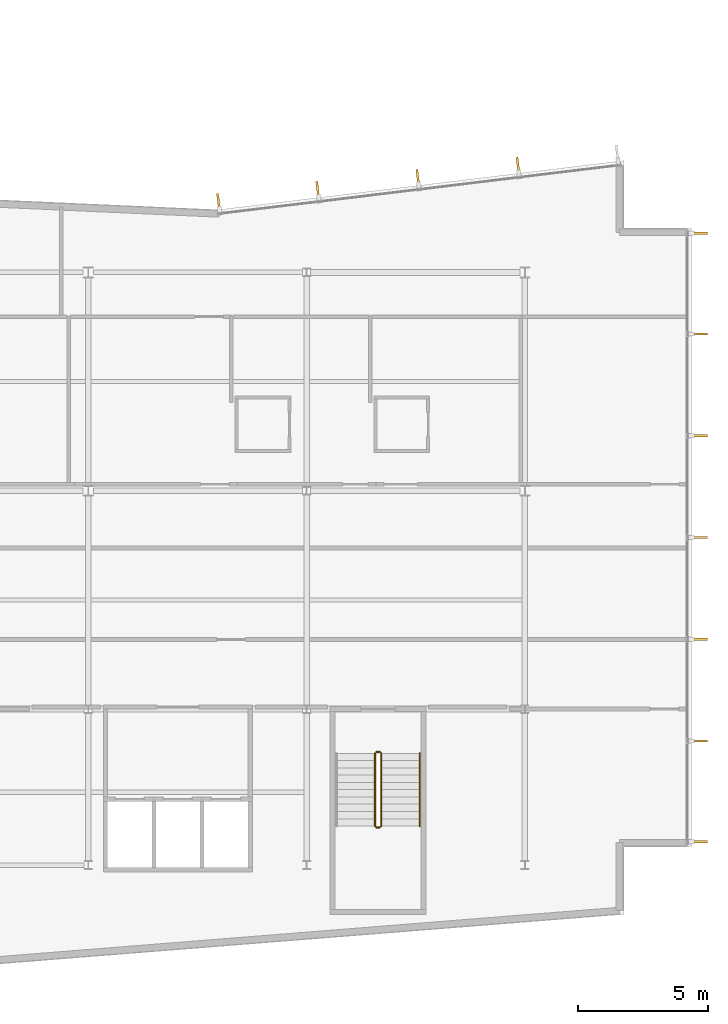
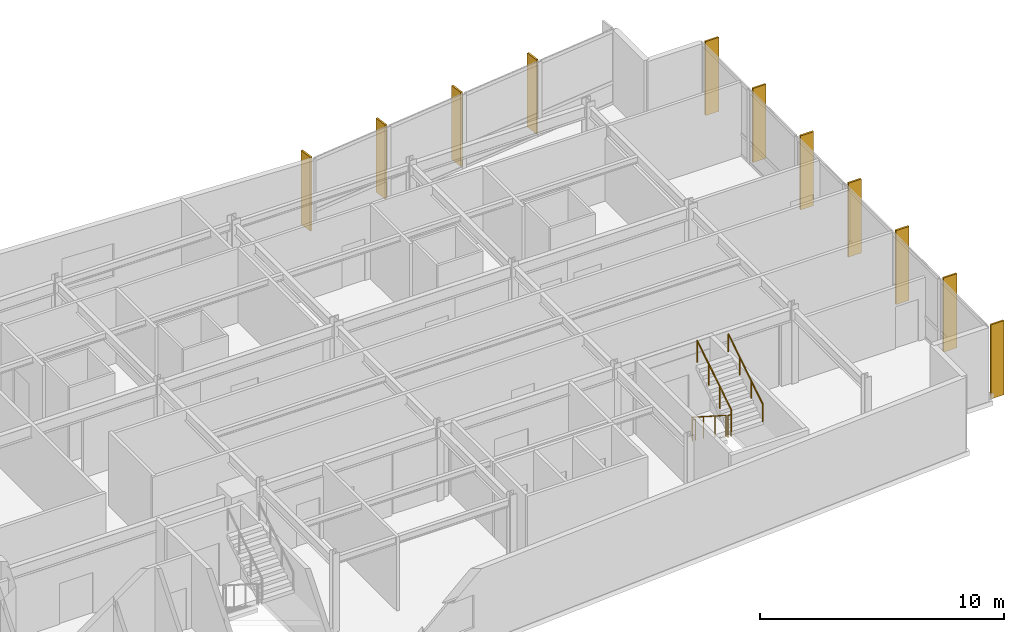
# One storey, part 16 of 18: 11 shading devices, 5 railings.
"""IFC4 building model written with IfcOpenShell, lengths in metres."""

import ifcopenshell
import ifcopenshell.guid

model = None  # the IFC model being written
_history = None  # IfcOwnerHistory: only IFC2X3 demands one
_inside = {}  # id of a spatial element -> (the spatial element, [elements in it])
_under = {}  # id of a project, library or spatial element -> (it, [spatial elements below it])
_declared = {}  # id of a project -> (the project, [libraries it declares])
_typed = {}  # id of a type object -> (the type object, [elements of that type])
_made_of = {}  # id of a material, layer set ... -> (it, [elements and type objects made of it])


def new_model(schema):
    """Start an empty IFC model of exactly this schema.

    Asked for "IFC4X3", IfcOpenShell would pick the latest addendum, in which some entities
    have other attributes; the version numbers below select the first issue.
    IFC2X3 requires an IfcOwnerHistory on every rooted entity: one is made here for all.
    """
    global model, _history
    if schema == "IFC4X3":
        model = ifcopenshell.file(schema_version=(4, 3, 0, 0))
    else:
        model = ifcopenshell.file(schema=schema)
    _inside.clear()
    _under.clear()
    _declared.clear()
    _typed.clear()
    _made_of.clear()
    _history = None
    if model.schema == "IFC2X3":
        org = make("IfcOrganization", Name="unknown")
        user = make(
            "IfcPersonAndOrganization",
            ThePerson=make("IfcPerson", FamilyName="unknown"),
            TheOrganization=org,
        )
        app = make(
            "IfcApplication",
            ApplicationDeveloper=org,
            Version="unknown",
            ApplicationFullName="unknown",
            ApplicationIdentifier="unknown",
        )
        _history = make(
            "IfcOwnerHistory",
            OwningUser=user,
            OwningApplication=app,
            ChangeAction="ADDED",
            CreationDate=0,
        )
    return model


def make(cls, **values):
    """One entity of the class cls with the attributes given. An attribute that is None is left unset."""
    return model.create_entity(
        cls, **{name: value for name, value in values.items() if value is not None}
    )


def rooted(cls, **values):
    """An entity with a GlobalId (a new one), such as an element, a storey or a relation."""
    return make(cls, GlobalId=ifcopenshell.guid.new(), OwnerHistory=_history, **values)


def si_unit(unit_type, name, prefix=None):
    """IfcSIUnit, for example si_unit("LENGTHUNIT", "METRE", prefix="MILLI")."""
    return make("IfcSIUnit", UnitType=unit_type, Prefix=prefix, Name=name)


def assignment(units):
    """IfcUnitAssignment: the units of a project."""
    return None if units is None else make("IfcUnitAssignment", Units=units)


def point(xyz):
    """IfcCartesianPoint."""
    return None if xyz is None else make("IfcCartesianPoint", Coordinates=xyz)


def direction(xyz):
    """IfcDirection."""
    return None if xyz is None else make("IfcDirection", DirectionRatios=xyz)


def frame(location, z_axis=None, x_axis=None):
    """IfcAxis2Placement3D, a coordinate frame: its origin and axes. An axis left out is left unset."""
    return make(
        "IfcAxis2Placement3D",
        Location=point(location),
        Axis=direction(z_axis),
        RefDirection=direction(x_axis),
    )


def frame_2d(location, x_axis=None):
    """IfcAxis2Placement2D, a coordinate frame in the plane: its origin and x axis."""
    return make(
        "IfcAxis2Placement2D", Location=point(location), RefDirection=direction(x_axis)
    )


def origin():
    """The frame at (0, 0, 0) with its axes left unset."""
    return frame((0.0, 0.0, 0.0))


def origin_2d():
    """The frame at (0, 0) in the plane with its x axis left unset."""
    return frame_2d((0.0, 0.0))


def place(relative_to, where):
    """IfcLocalPlacement: puts the frame where relative to a parent placement (None: the world)."""
    return make(
        "IfcLocalPlacement", PlacementRelTo=relative_to, RelativePlacement=where
    )


def context(
    kind, dimensions, precision=None, world=None, true_north=None, identifier=None
):
    """IfcGeometricRepresentationContext, for example the 3D "Model" context."""
    return make(
        "IfcGeometricRepresentationContext",
        ContextIdentifier=identifier,
        ContextType=kind,
        CoordinateSpaceDimension=dimensions,
        Precision=precision,
        WorldCoordinateSystem=world,
        TrueNorth=true_north,
    )


def subcontext(parent, identifier, kind, view, scale=None):
    """IfcGeometricRepresentationSubContext, for example "Body" below "Model"."""
    return make(
        "IfcGeometricRepresentationSubContext",
        ContextIdentifier=identifier,
        ContextType=kind,
        ParentContext=parent,
        TargetScale=scale,
        TargetView=view,
    )


def project(units=None, contexts=None):
    """IfcProject with its units and contexts."""
    return rooted(
        "IfcProject",
        Name="project",
        RepresentationContexts=contexts,
        UnitsInContext=assignment(units),
    )


def spatial(cls, under=None, at=None, **own):
    """A site, building, storey or space (cls), placed at a placement, below another one or the project."""
    s = rooted(cls, ObjectPlacement=at, **own)
    if under is not None:
        _under.setdefault(under.id(), (under, []))[1].append(s)
    return s


def profile(cls, at=None, kind="AREA", **sizes):
    """A parametric profile (cls). Its sizes go by their IFC names, for example OverallWidth=200.0."""
    return make(cls, ProfileType=kind, Position=at, **sizes)


def rectangle(**sizes):
    """IfcRectangleProfileDef."""
    return profile("IfcRectangleProfileDef", **sizes)


def circle(**sizes):
    """IfcCircleProfileDef."""
    return profile("IfcCircleProfileDef", **sizes)


def extrude(swept, where, along, depth):
    """IfcExtrudedAreaSolid: the profile swept, set in the frame where, extruded along a direction by depth."""
    return make(
        "IfcExtrudedAreaSolid",
        SweptArea=swept,
        Position=where,
        ExtrudedDirection=direction(along),
        Depth=depth,
    )


def shape(context_of_items, identifier, shape_type, items):
    """IfcShapeRepresentation: the items that make up one representation, for example the "Body"."""
    return make(
        "IfcShapeRepresentation",
        ContextOfItems=context_of_items,
        RepresentationIdentifier=identifier,
        RepresentationType=shape_type,
        Items=items,
    )


def material(Name=None, Category=None):
    """IfcMaterial."""
    return make("IfcMaterial", Name=Name, Category=Category)


def layer(
    of_material, thickness, ventilated=None, Name=None, Category=None, Priority=None
):
    """IfcMaterialLayer: one layer of a wall or slab, of a material (None: an air gap)."""
    return make(
        "IfcMaterialLayer",
        Material=of_material,
        LayerThickness=thickness,
        IsVentilated=ventilated,
        Name=Name,
        Category=Category,
        Priority=Priority,
    )


def layer_set(layers, Name=None):
    """IfcMaterialLayerSet."""
    return make("IfcMaterialLayerSet", MaterialLayers=layers, LayerSetName=Name)


def made_of(thing, what):
    """Note that an element or type object is made of a material, layer set ...; save() writes the relation."""
    if what is not None:
        _made_of.setdefault(what.id(), (what, []))[1].append(thing)
    return thing


def type_object(cls, material=None, **own):
    """A type object (cls), such as IfcWallType, which elements share."""
    return made_of(rooted(cls, **own), material)


def element(
    cls,
    number,
    at=None,
    inside=None,
    cuts=None,
    type_object=None,
    material=None,
    context=None,
    identifier="Body",
    shape_type=None,
    held_by="IfcProductDefinitionShape",
    body=None,
    shapes=None,
    **own,
):
    """One element of the class cls, such as IfcWall. Its Tag is "e" and its number.

    at: its placement. inside: the storey or other place that contains it. cuts: it is an
    opening in that element (IfcRelVoidsElement). A single representation is given by context,
    identifier, shape_type and body (its items); several are given by shapes. held_by: the class
    of the entity that holds the representations. save() writes the other relations.
    """
    e = rooted(cls, Tag="e%d" % number, ObjectPlacement=at, **own)
    if body is not None:
        shapes = [shape(context, identifier, shape_type, body)]
    if shapes is not None:
        e.Representation = make(held_by, Representations=shapes)
    if inside is not None:
        _inside.setdefault(inside.id(), (inside, []))[1].append(e)
    if cuts is not None:
        rooted(
            "IfcRelVoidsElement", RelatingBuildingElement=cuts, RelatedOpeningElement=e
        )
    if type_object is not None:
        _typed.setdefault(type_object.id(), (type_object, []))[1].append(e)
    return made_of(e, material)


def aggregate(whole, parts):
    """IfcRelAggregates: a whole, such as a stair, and the parts it consists of."""
    return rooted("IfcRelAggregates", RelatingObject=whole, RelatedObjects=parts)


def save(model, path):
    """Write the relations noted so far, then the file.

    IfcRelAggregates (storeys below a building ...), IfcRelContainedInSpatialStructure (elements
    in a storey), IfcRelDefinesByType, IfcRelAssociatesMaterial and IfcRelDeclares: one each for
    every whole, place, type object, material and project.
    """
    for whole, parts in _under.values():
        aggregate(whole, parts)
    for where, things in _inside.values():
        rooted(
            "IfcRelContainedInSpatialStructure",
            RelatedElements=things,
            RelatingStructure=where,
        )
    for kind, things in _typed.values():
        rooted("IfcRelDefinesByType", RelatedObjects=things, RelatingType=kind)
    for what, things in _made_of.values():
        rooted("IfcRelAssociatesMaterial", RelatedObjects=things, RelatingMaterial=what)
    for by, libraries in _declared.values():
        rooted("IfcRelDeclares", RelatingContext=by, RelatedDefinitions=libraries)
    model.write(path)


model = new_model("IFC4")

# Units and contexts
model_context = context("Model", 3, precision=1e-05, world=origin(), true_north=direction((0.0, 1.0)))
body_context = subcontext(model_context, "Body", "Model", "MODEL_VIEW")
ifc_project = project(units=[si_unit("LENGTHUNIT", "METRE"), si_unit("AREAUNIT", "SQUARE_METRE"), si_unit("VOLUMEUNIT", "CUBIC_METRE"), si_unit("PLANEANGLEUNIT", "RADIAN"), si_unit("MASSUNIT", "GRAM", prefix="KILO")], contexts=[model_context])

# Site, building, storey
site_placement = place(None, origin())
site = spatial("IfcSite", under=ifc_project, at=site_placement, CompositionType="ELEMENT")
building_placement = place(site_placement, origin())
building = spatial("IfcBuilding", under=site, at=building_placement, Name="Varnakote Quay Hospital", CompositionType="ELEMENT")
storey_placement = place(building_placement, frame((0.0, 0.0, 142.85009765625)))
storey = spatial("IfcBuildingStorey", under=building, at=storey_placement, Name="L35", CompositionType="ELEMENT", Elevation=142.85009765625)

# Railings
ifc_material_1 = material(Name="Brushed stainless steel balustrade", Category="steel")
railing_type_1 = type_object("IfcRailingType", Name="RLG-STAIR-GUARD-1150", PredefinedType="GUARDRAIL", material=ifc_material_1)
railing_1_placement = place(storey_placement, frame((44.6298828125, 10.300048828125, 0.179443359375)))
element("IfcRailing", 1, at=railing_1_placement, inside=storey, type_object=railing_type_1, Name="L35 ST-03 stair guard 1", PredefinedType="GUARDRAIL", context=body_context, shape_type="SweptSolid", body=[
    extrude(circle(Radius=0.02392578125, at=origin_2d()), frame((0.0, 0.0, 1.076171875), z_axis=(0.0, -0.841809871826, 0.539774156196), x_axis=(1.0, 0.0, 0.0)), (0.0, 0.0, 1.0), 3.326171875),
    extrude(circle(Radius=0.02099609375, at=origin_2d()), origin(), (0.0, 0.0, 1.0), 1.052001953125),
    extrude(circle(Radius=0.02099609375, at=origin_2d()), frame((0.0, -0.933349609375, 0.598388671875)), (0.0, 0.0, 1.0), 1.052001953125),
    extrude(circle(Radius=0.02099609375, at=origin_2d()), frame((0.0, -1.86669921875, 1.197021484375)), (0.0, 0.0, 1.0), 1.052001953125),
    extrude(circle(Radius=0.02099609375, at=origin_2d()), frame((0.0, -2.800048828125, 1.79541015625)), (0.0, 0.0, 1.0), 1.052001953125),
])
railing_2_placement = place(storey_placement, frame((44.679931640625, 7.449951171875, 1.974853515625)))
element("IfcRailing", 2, at=railing_2_placement, inside=storey, type_object=railing_type_1, Name="L35 ST-03 stair guard 2", PredefinedType="GUARDRAIL", context=body_context, shape_type="SweptSolid", body=[
    extrude(circle(Radius=0.02392578125, at=origin_2d()), frame((0.0, 0.0, 1.076171875), z_axis=(1.0, 0.0, 0.0), x_axis=(0.0, 1.0, 0.0)), (0.0, 0.0, 1.0), 0.14013671875),
    extrude(circle(Radius=0.02099609375, at=origin_2d()), origin(), (0.0, 0.0, 1.0), 1.052001953125),
    extrude(circle(Radius=0.02099609375, at=origin_2d()), frame((0.14013671875, 0.0, 0.0)), (0.0, 0.0, 1.0), 1.052001953125),
])
railing_3_placement = place(storey_placement, frame((44.8701171875, 7.5, 2.154541015625)))
element("IfcRailing", 3, at=railing_3_placement, inside=storey, type_object=railing_type_1, Name="L35 ST-03 stair guard 3", PredefinedType="GUARDRAIL", context=body_context, shape_type="SweptSolid", body=[
    extrude(circle(Radius=0.02392578125, at=origin_2d()), frame((0.0, 0.0, 1.076171875), z_axis=(0.0, 0.841809871826, 0.539774156196), x_axis=(-1.0, 0.0, 0.0)), (0.0, 0.0, 1.0), 3.326171875),
    extrude(circle(Radius=0.02099609375, at=origin_2d()), origin(), (0.0, 0.0, 1.0), 1.052001953125),
    extrude(circle(Radius=0.02099609375, at=origin_2d()), frame((0.0, 0.933349609375, 0.598388671875)), (0.0, 0.0, 1.0), 1.052001953125),
    extrude(circle(Radius=0.02099609375, at=origin_2d()), frame((0.0, 1.86669921875, 1.197021484375)), (0.0, 0.0, 1.0), 1.052001953125),
    extrude(circle(Radius=0.02099609375, at=origin_2d()), frame((0.0, 2.800048828125, 1.79541015625)), (0.0, 0.0, 1.0), 1.052001953125),
])
railing_4_placement = place(storey_placement, frame((44.679931640625, 10.35009765625, 0.0)))
element("IfcRailing", 4, at=railing_4_placement, inside=storey, type_object=railing_type_1, Name="L35 ST-03 stair guard 4", PredefinedType="GUARDRAIL", context=body_context, shape_type="SweptSolid", body=[
    extrude(circle(Radius=0.02392578125, at=origin_2d()), frame((0.0, 0.0, 1.076171875), z_axis=(1.0, 0.0, 0.0), x_axis=(0.0, 1.0, 0.0)), (0.0, 0.0, 1.0), 0.14013671875),
    extrude(circle(Radius=0.02099609375, at=origin_2d()), origin(), (0.0, 0.0, 1.0), 1.052001953125),
    extrude(circle(Radius=0.02099609375, at=origin_2d()), frame((0.14013671875, 0.0, 0.0)), (0.0, 0.0, 1.0), 1.052001953125),
])
ifc_material_2 = material(Name="Brushed stainless steel handrail", Category="steel")
railing_type_2 = type_object("IfcRailingType", Name="RLG-STAIR-HND-920", PredefinedType="HANDRAIL", material=ifc_material_2)
railing_5_placement = place(storey_placement, frame((46.35009765625, 7.5, 2.154541015625)))
element("IfcRailing", 5, at=railing_5_placement, inside=storey, type_object=railing_type_2, Name="L35 ST-03 stair handrail 2", PredefinedType="HANDRAIL", context=body_context, shape_type="SweptSolid", body=[
    extrude(circle(Radius=0.02392578125, at=origin_2d()), frame((0.0, 0.0, 0.8759765625), z_axis=(0.0, 0.841809871826, 0.539774156196), x_axis=(-1.0, 0.0, 0.0)), (0.0, 0.0, 1.0), 3.326171875),
    extrude(circle(Radius=0.02099609375, at=origin_2d()), origin(), (0.0, 0.0, 1.0), 0.851806640625),
    extrude(circle(Radius=0.02099609375, at=origin_2d()), frame((0.0, 0.933349609375, 0.598388671875)), (0.0, 0.0, 1.0), 0.851806640625),
    extrude(circle(Radius=0.02099609375, at=origin_2d()), frame((0.0, 1.86669921875, 1.197021484375)), (0.0, 0.0, 1.0), 0.851806640625),
    extrude(circle(Radius=0.02099609375, at=origin_2d()), frame((0.0, 2.800048828125, 1.79541015625)), (0.0, 0.0, 1.0), 0.851806640625),
])

# Shading devices
ifc_material_3 = material(Name="Anodised aluminium 6063-T6 Bronze", Category="aluminium")
ifc_layer = layer(ifc_material_3, 0.0849609375)
ifc_layer_set = layer_set([ifc_layer], Name="Anodised aluminium 6063-T6 Bronze")
shading_device_type = type_object("IfcShadingDeviceType", Name="SHD-BRONZE-FIN-620", PredefinedType="USERDEFINED", material=ifc_layer_set)
for number, where, z_axis, x_axis, name in (
    (6, (57.110107421875, 6.8974609375, 0.0), (0.0, 0.0, 1.0), (-1.0, 0.0, 0.0), "L35 Anodised Bronze Vertical Shading FIN"),
    (7, (57.110107421875, 10.773193359375, 0.0), (0.0, 0.0, 1.0), (-1.0, 0.0, 0.0), "L35 Anodised Bronze Vertical Shading FIN"),
    (8, (57.110107421875, 14.686767578125, 0.0), (0.0, 0.0, 1.0), (-1.0, 0.0, 0.0), "L35 Anodised Bronze Vertical Shading FIN"),
    (9, (57.110107421875, 18.60009765625, 0.0), (0.0, 0.0, 1.0), (-1.0, 0.0, 0.0), "L35 Anodised Bronze Vertical Shading FIN"),
    (10, (57.110107421875, 22.51318359375, 0.0), (0.0, 0.0, 1.0), (-1.0, 0.0, 0.0), "L35 Anodised Bronze Vertical Shading FIN"),
    (11, (57.110107421875, 26.4267578125, 0.0), (0.0, 0.0, 1.0), (-1.0, 0.0, 0.0), "L35 Anodised Bronze Vertical Shading FIN"),
    (12, (57.110107421875, 30.302490234375, 0.0), (0.0, 0.0, 1.0), (-1.0, 0.0, 0.0), "L35 Anodised Bronze Vertical Shading FIN"),
    (13, (50.131103515625, 32.9189453125, 0.0), (0.0, 0.0, 1.0), (0.120310105847, -0.992736358975, 0.0), "L35 Anodised Bronze Vertical Shading FIN"),
    (14, (46.278564453125, 32.4521484375, 0.0), (0.0, 0.0, 1.0), (0.120310105847, -0.992736358975, 0.0), "L35 Anodised Bronze Vertical Shading FIN"),
    (15, (42.426025390625, 31.985107421875, 0.0), (0.0, 0.0, 1.0), (0.120310105847, -0.992736358975, 0.0), "L35 Anodised Bronze Vertical Shading FIN"),
    (16, (38.61083984375, 31.522705078125, 0.0), (0.0, 0.0, 1.0), (0.120310105847, -0.992736358975, 0.0), "L35 Anodised Bronze Vertical Shading FIN"),
):
    element("IfcShadingDevice", number, at=place(storey_placement, frame(where, z_axis=z_axis, x_axis=x_axis)), inside=storey, type_object=shading_device_type, Name=name, ObjectType="FIN", PredefinedType="USERDEFINED", context=body_context, shape_type="SweptSolid", body=[
        extrude(rectangle(XDim=0.6201171875, YDim=0.0849609375, at=origin_2d()), origin(), (0.0, 0.0, 1.0), 3.7099609375),
    ])

save(model, "model.ifc")
